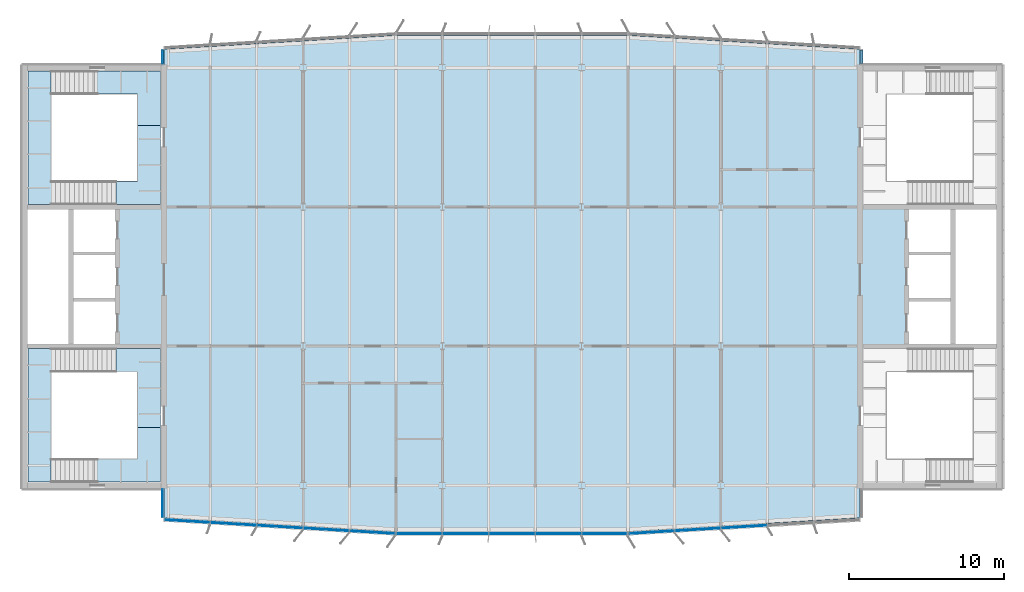
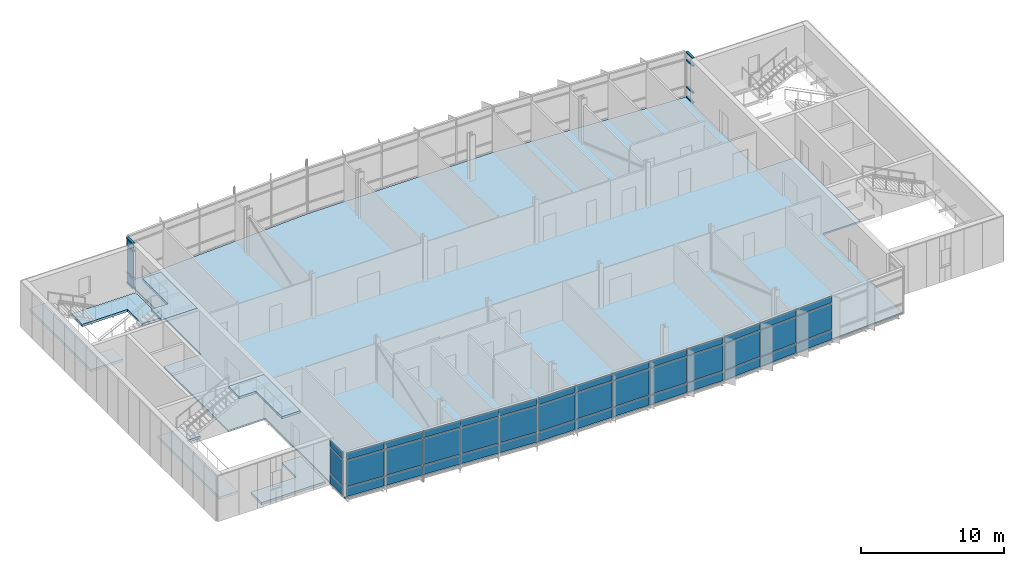
# One storey, part 10 of 18: 45 plates, 8 members, 7 slabs, 8 elements without a shape of their own.
"""IFC4 building model written with IfcOpenShell, lengths in metres."""

from ifc_helpers import new_model, si_unit, direction, frame, origin, origin_2d, place, context, subcontext, project, spatial, polyline, rectangle, outline, extrude, material, layer, layer_set, material_profile, profile_set, type_object, element, aggregate, save


model = new_model("IFC4")

# Units and contexts
model_context = context("Model", 3, precision=1e-05, world=origin(), true_north=direction((0.0, 1.0)))
body_context = subcontext(model_context, "Body", "Model", "MODEL_VIEW")
ifc_project = project(units=[si_unit("LENGTHUNIT", "METRE"), si_unit("AREAUNIT", "SQUARE_METRE"), si_unit("VOLUMEUNIT", "CUBIC_METRE"), si_unit("PLANEANGLEUNIT", "RADIAN"), si_unit("MASSUNIT", "GRAM", prefix="KILO")], contexts=[model_context])

# Site, building, storey
site_placement = place(None, origin())
site = spatial("IfcSite", under=ifc_project, at=site_placement, CompositionType="ELEMENT")
building_placement = place(site_placement, origin())
building = spatial("IfcBuilding", under=site, at=building_placement, Name="Azimuth Sports and Learning Centre", CompositionType="ELEMENT")
storey_placement = place(building_placement, frame((0.0, 0.0, 55.800048828125)))
storey = spatial("IfcBuildingStorey", under=building, at=storey_placement, Name="L12", CompositionType="ELEMENT", Elevation=55.800048828125)

# Curtain wall, members
ifc_material_1 = material(Name="Aluminium and glass", Category="aluminium")
curtain_wall_type_1 = type_object("IfcCurtainWallType", Name="Curtain wall tower return 180", PredefinedType="NOTDEFINED", material=ifc_material_1)
curtain_wall_1_placement = place(storey_placement, origin())
curtain_wall_1 = element("IfcCurtainWall", 1, at=curtain_wall_1_placement, inside=storey, type_object=curtain_wall_type_1, Name="Curtain wall CW12-006", PredefinedType="NOTDEFINED")
ifc_material_2 = material(Name="Aluminium", Category="aluminium")
ifc_material_profile = material_profile(ifc_material_2, rectangle(XDim=0.179931640625, YDim=0.10009765625, at=origin_2d()), Name="Transom 100x180")
ifc_profile_set = profile_set([ifc_material_profile], Name="Aluminium")
member_type = type_object("IfcMemberType", Name="Transom 100x180", PredefinedType="USERDEFINED", material=ifc_profile_set)
member_1_placement = place(storey_placement, frame((108.090087890625, 117.260009765625, 0.050048828125), z_axis=(0.0, 1.0, 0.0), x_axis=(-1.0, 0.0, 0.0)))
member_1 = element("IfcMember", 2, at=member_1_placement, type_object=member_type, Name="CW12-006 transom 1.1", ObjectType="TRANSOM", PredefinedType="USERDEFINED", context=body_context, shape_type="SweptSolid", body=[
    extrude(rectangle(XDim=0.179931640625, YDim=0.10009765625, at=origin_2d()), origin(), (0.0, 0.0, 1.0), 0.8798828125),
])
member_2_placement = place(storey_placement, frame((108.090087890625, 117.260009765625, 0.89990234375), z_axis=(0.0, 1.0, 0.0), x_axis=(-1.0, 0.0, 0.0)))
member_2 = element("IfcMember", 3, at=member_2_placement, type_object=member_type, Name="CW12-006 transom 1.2", ObjectType="TRANSOM", PredefinedType="USERDEFINED", context=body_context, shape_type="SweptSolid", body=[
    extrude(rectangle(XDim=0.179931640625, YDim=0.10009765625, at=origin_2d()), origin(), (0.0, 0.0, 1.0), 0.8798828125),
])
member_3_placement = place(storey_placement, frame((108.090087890625, 117.260009765625, 3.199951171875), z_axis=(0.0, 1.0, 0.0), x_axis=(-1.0, 0.0, 0.0)))
member_3 = element("IfcMember", 4, at=member_3_placement, type_object=member_type, Name="CW12-006 transom 1.3", ObjectType="TRANSOM", PredefinedType="USERDEFINED", context=body_context, shape_type="SweptSolid", body=[
    extrude(rectangle(XDim=0.179931640625, YDim=0.10009765625, at=origin_2d()), origin(), (0.0, 0.0, 1.0), 0.8798828125),
])
member_4_placement = place(storey_placement, frame((108.090087890625, 117.260009765625, 3.849853515625), z_axis=(0.0, 1.0, 0.0), x_axis=(-1.0, 0.0, 0.0)))
member_4 = element("IfcMember", 5, at=member_4_placement, type_object=member_type, Name="CW12-006 transom 1.4", ObjectType="TRANSOM", PredefinedType="USERDEFINED", context=body_context, shape_type="SweptSolid", body=[
    extrude(rectangle(XDim=0.179931640625, YDim=0.10009765625, at=origin_2d()), origin(), (0.0, 0.0, 1.0), 0.8798828125),
])
aggregate(curtain_wall_1, [member_1, member_2, member_3, member_4])

curtain_wall_2_placement = place(storey_placement, origin())
curtain_wall_2 = element("IfcCurtainWall", 6, at=curtain_wall_2_placement, inside=storey, type_object=curtain_wall_type_1, Name="Curtain wall CW12-010", PredefinedType="NOTDEFINED")
member_5_placement = place(storey_placement, frame((62.909912109375, 118.139892578125, 0.050048828125), z_axis=(0.0, -1.0, 0.0), x_axis=(1.0, 0.0, 0.0)))
member_5 = element("IfcMember", 7, at=member_5_placement, type_object=member_type, Name="CW12-010 transom 1.1", ObjectType="TRANSOM", PredefinedType="USERDEFINED", context=body_context, shape_type="SweptSolid", body=[
    extrude(rectangle(XDim=0.179931640625, YDim=0.10009765625, at=origin_2d()), origin(), (0.0, 0.0, 1.0), 0.8798828125),
])
member_6_placement = place(storey_placement, frame((62.909912109375, 118.139892578125, 0.89990234375), z_axis=(0.0, -1.0, 0.0), x_axis=(1.0, 0.0, 0.0)))
member_6 = element("IfcMember", 8, at=member_6_placement, type_object=member_type, Name="CW12-010 transom 1.2", ObjectType="TRANSOM", PredefinedType="USERDEFINED", context=body_context, shape_type="SweptSolid", body=[
    extrude(rectangle(XDim=0.179931640625, YDim=0.10009765625, at=origin_2d()), origin(), (0.0, 0.0, 1.0), 0.8798828125),
])
member_7_placement = place(storey_placement, frame((62.909912109375, 118.139892578125, 3.199951171875), z_axis=(0.0, -1.0, 0.0), x_axis=(1.0, 0.0, 0.0)))
member_7 = element("IfcMember", 9, at=member_7_placement, type_object=member_type, Name="CW12-010 transom 1.3", ObjectType="TRANSOM", PredefinedType="USERDEFINED", context=body_context, shape_type="SweptSolid", body=[
    extrude(rectangle(XDim=0.179931640625, YDim=0.10009765625, at=origin_2d()), origin(), (0.0, 0.0, 1.0), 0.8798828125),
])
member_8_placement = place(storey_placement, frame((62.909912109375, 118.139892578125, 3.849853515625), z_axis=(0.0, -1.0, 0.0), x_axis=(1.0, 0.0, 0.0)))
member_8 = element("IfcMember", 10, at=member_8_placement, type_object=member_type, Name="CW12-010 transom 1.4", ObjectType="TRANSOM", PredefinedType="USERDEFINED", context=body_context, shape_type="SweptSolid", body=[
    extrude(rectangle(XDim=0.179931640625, YDim=0.10009765625, at=origin_2d()), origin(), (0.0, 0.0, 1.0), 0.8798828125),
])

# Slab
ifc_material_3 = material(Name="Concrete C30/37", Category="concrete")
ifc_layer_1 = layer(ifc_material_3, 0.1298828125)
ifc_layer_set_1 = layer_set([ifc_layer_1], Name="Concrete C30/37")
slab_type_1 = type_object("IfcSlabType", Name="Composite floor slab 130", PredefinedType="FLOOR", material=ifc_layer_set_1)
slab_1_placement = place(storey_placement, frame((0.0, 0.0, -0.130126953125)))
element("IfcSlab", 11, at=slab_1_placement, inside=storey, type_object=slab_type_1, Name="Slab TOWER L12", PredefinedType="FLOOR", context=body_context, shape_type="SweptSolid", body=[
    extrude(outline(polyline([(78.0, 87.0), (93.0, 87.0), (108.0, 87.89990234375), (108.0, 99.0), (111.0, 99.0), (111.0, 108.0), (108.0, 108.0), (108.0, 118.199951171875), (93.0, 119.10009765625), (78.0, 119.10009765625), (63.0, 118.199951171875), (63.0, 108.0), (60.0, 108.0), (60.0, 99.0), (63.0, 99.0), (63.0, 87.89990234375), (78.0, 87.0)])), origin(), (0.0, 0.0, 1.0), 0.130126953125),
])

# Stair, slabs
ifc_material_4 = material(Name="Concrete C32/40", Category="concrete")
stair_type = type_object("IfcStairType", Name="Square-well stair core 3900 storey", PredefinedType="THREE_QUARTER_TURN_STAIR", material=ifc_material_4)
stair_1_placement = place(storey_placement, origin())
stair_1 = element("IfcStair", 12, at=stair_1_placement, inside=storey, type_object=stair_type, Name="Stair W1 L12-L13", PredefinedType="THREE_QUARTER_TURN_STAIR")
ifc_material_5 = material(Name="Concrete C32/40", Category="concrete")
ifc_layer_2 = layer(ifc_material_5, 0.199951171875)
ifc_layer_set_2 = layer_set([ifc_layer_2], Name="Concrete C32/40")
slab_type_2 = type_object("IfcSlabType", Name="Concrete stair landing", PredefinedType="LANDING", material=ifc_layer_set_2)
slab_2_placement = place(storey_placement, frame((0.0, 0.0, -0.199951171875)))
slab_2 = element("IfcSlab", 13, at=slab_2_placement, type_object=slab_type_2, Name="Stair W1 L12 landing 1", PredefinedType="LANDING", context=body_context, shape_type="SweptSolid", body=[
    extrude(outline(polyline([(62.7900390625, 90.2099609375), (62.7900390625, 93.75), (61.2900390625, 93.75), (61.2900390625, 91.7099609375), (57.610107421875, 91.7099609375), (57.610107421875, 90.2099609375), (62.7900390625, 90.2099609375)])), origin(), (0.0, 0.0, 1.0), 0.199951171875),
])
slab_3_placement = place(storey_placement, frame((0.0, 0.0, 1.449951171875)))
slab_3 = element("IfcSlab", 14, at=slab_3_placement, type_object=slab_type_2, Name="Stair W1 L12 landing 2", PredefinedType="LANDING", context=body_context, shape_type="SweptSolid", body=[
    extrude(outline(polyline([(55.7099609375, 91.7099609375), (55.7099609375, 97.340087890625), (56.81005859375, 97.340087890625), (56.81005859375, 98.840087890625), (54.2099609375, 98.840087890625), (54.2099609375, 90.2099609375), (55.710693359375, 90.2099609375), (55.710693359375, 91.7099609375), (55.7099609375, 91.7099609375)])), origin(), (0.0, 0.0, 1.0), 0.199951171875),
])
slab_4_placement = place(storey_placement, frame((0.0, 0.0, 3.699951171875)))
slab_4 = element("IfcSlab", 15, at=slab_4_placement, type_object=slab_type_2, Name="Stair W1 L12 landing 3", PredefinedType="LANDING", context=body_context, shape_type="SweptSolid", body=[
    extrude(outline(polyline([(61.2900390625, 97.340087890625), (61.2900390625, 93.75), (62.7900390625, 93.75), (62.7900390625, 98.840087890625), (59.9091796875, 98.840087890625), (59.9091796875, 97.340087890625), (61.2900390625, 97.340087890625)])), origin(), (0.0, 0.0, 1.0), 0.199951171875),
])
aggregate(stair_1, [slab_2, slab_3, slab_4])

stair_2_placement = place(storey_placement, origin())
stair_2 = element("IfcStair", 16, at=stair_2_placement, inside=storey, type_object=stair_type, Name="Stair W2 L12-L13", PredefinedType="THREE_QUARTER_TURN_STAIR")
slab_5_placement = place(storey_placement, frame((0.0, 0.0, -0.199951171875)))
slab_5 = element("IfcSlab", 17, at=slab_5_placement, type_object=slab_type_2, Name="Stair W2 L12 landing 1", PredefinedType="LANDING", context=body_context, shape_type="SweptSolid", body=[
    extrude(outline(polyline([(57.610107421875, 115.2900390625), (61.2900390625, 115.2900390625), (61.2900390625, 113.25), (62.7900390625, 113.25), (62.7900390625, 116.7900390625), (57.610107421875, 116.7900390625), (57.610107421875, 115.2900390625)])), origin(), (0.0, 0.0, 1.0), 0.199951171875),
])
slab_6_placement = place(storey_placement, frame((0.0, 0.0, 1.449951171875)))
slab_6 = element("IfcSlab", 18, at=slab_6_placement, type_object=slab_type_2, Name="Stair W2 L12 landing 2", PredefinedType="LANDING", context=body_context, shape_type="SweptSolid", body=[
    extrude(outline(polyline([(55.7099609375, 115.2900390625), (55.710693359375, 115.2900390625), (55.710693359375, 116.7900390625), (54.2099609375, 116.7900390625), (54.2099609375, 108.159912109375), (56.81005859375, 108.159912109375), (56.81005859375, 109.659912109375), (55.7099609375, 109.659912109375), (55.7099609375, 115.2900390625)])), origin(), (0.0, 0.0, 1.0), 0.199951171875),
])
slab_7_placement = place(storey_placement, frame((0.0, 0.0, 3.699951171875)))
slab_7 = element("IfcSlab", 19, at=slab_7_placement, type_object=slab_type_2, Name="Stair W2 L12 landing 3", PredefinedType="LANDING", context=body_context, shape_type="SweptSolid", body=[
    extrude(outline(polyline([(61.2900390625, 109.659912109375), (59.9091796875, 109.659912109375), (59.9091796875, 108.159912109375), (62.7900390625, 108.159912109375), (62.7900390625, 113.25), (61.2900390625, 113.25), (61.2900390625, 109.659912109375)])), origin(), (0.0, 0.0, 1.0), 0.199951171875),
])
aggregate(stair_2, [slab_5, slab_6, slab_7])

# Curtain wall, plates
curtain_wall_3_placement = place(storey_placement, origin())
curtain_wall_3 = element("IfcCurtainWall", 20, at=curtain_wall_3_placement, inside=storey, type_object=curtain_wall_type_1, Name="Curtain wall CW12-001", PredefinedType="NOTDEFINED")
ifc_material_6 = material(Name="Insulated aluminium panel", Category="aluminium")
ifc_layer_3 = layer(ifc_material_6, 0.050048828125)
ifc_layer_set_3 = layer_set([ifc_layer_3], Name="Insulated aluminium panel")
plate_type_1 = type_object("IfcPlateType", Name="Spandrel panel 50 mm", PredefinedType="CURTAIN_PANEL", material=ifc_layer_set_3)
plate_1_placement = place(storey_placement, frame((62.909912109375, 88.85009765625, 0.099853515625), z_axis=(0.0, 0.0, 1.0), x_axis=(0.0, -1.0, 0.0)))
plate_1 = element("IfcPlate", 21, at=plate_1_placement, type_object=plate_type_1, Name="CW12-001 panel 1.1", PredefinedType="CURTAIN_PANEL", context=body_context, shape_type="SweptSolid", body=[
    extrude(rectangle(XDim=1.780029296875, YDim=0.050048828125, at=origin_2d()), origin(), (0.0, 0.0, 1.0), 0.75),
])
plate_2_placement = place(storey_placement, frame((62.909912109375, 88.85009765625, 3.25), z_axis=(0.0, 0.0, 1.0), x_axis=(0.0, -1.0, 0.0)))
plate_2 = element("IfcPlate", 22, at=plate_2_placement, type_object=plate_type_1, Name="CW12-001 panel 1.3", PredefinedType="CURTAIN_PANEL", context=body_context, shape_type="SweptSolid", body=[
    extrude(rectangle(XDim=1.780029296875, YDim=0.050048828125, at=origin_2d()), origin(), (0.0, 0.0, 1.0), 0.550048828125),
])

ifc_material_7 = material(Name="Aluminium and glass", Category="aluminium")
curtain_wall_type_2 = type_object("IfcCurtainWallType", Name="Curtain wall tower south 240", PredefinedType="NOTDEFINED", material=ifc_material_7)
curtain_wall_4_placement = place(storey_placement, origin())
curtain_wall_4 = element("IfcCurtainWall", 23, at=curtain_wall_4_placement, inside=storey, type_object=curtain_wall_type_2, Name="Curtain wall CW12-002", PredefinedType="NOTDEFINED")
plate_3_placement = place(storey_placement, frame((64.51025390625, 87.689208984375, 0.099853515625), z_axis=(0.0, 0.0, 1.0), x_axis=(0.998204863401, -0.059891991812, 0.0)))
plate_3 = element("IfcPlate", 24, at=plate_3_placement, type_object=plate_type_1, Name="CW12-002 panel 1.1", PredefinedType="CURTAIN_PANEL", context=body_context, shape_type="SweptSolid", body=[
    extrude(rectangle(XDim=2.900390625, YDim=0.050048828125, at=origin_2d()), origin(), (0.0, 0.0, 1.0), 0.75),
])
plate_4_placement = place(storey_placement, frame((64.51025390625, 87.689208984375, 3.25), z_axis=(0.0, 0.0, 1.0), x_axis=(0.998204863401, -0.059891991812, 0.0)))
plate_4 = element("IfcPlate", 25, at=plate_4_placement, type_object=plate_type_1, Name="CW12-002 panel 1.3", PredefinedType="CURTAIN_PANEL", context=body_context, shape_type="SweptSolid", body=[
    extrude(rectangle(XDim=2.900390625, YDim=0.050048828125, at=origin_2d()), origin(), (0.0, 0.0, 1.0), 0.550048828125),
])
plate_5_placement = place(storey_placement, frame((67.492919921875, 87.51025390625, 0.099853515625), z_axis=(0.0, 0.0, 1.0), x_axis=(0.998204863401, -0.059891991812, 0.0)))
plate_5 = element("IfcPlate", 26, at=plate_5_placement, type_object=plate_type_1, Name="CW12-002 panel 2.1", PredefinedType="CURTAIN_PANEL", context=body_context, shape_type="SweptSolid", body=[
    extrude(rectangle(XDim=2.935302734375, YDim=0.050048828125, at=origin_2d()), origin(), (0.0, 0.0, 1.0), 0.75),
])
plate_6_placement = place(storey_placement, frame((67.492919921875, 87.51025390625, 3.25), z_axis=(0.0, 0.0, 1.0), x_axis=(0.998204863401, -0.059891991812, 0.0)))
plate_6 = element("IfcPlate", 27, at=plate_6_placement, type_object=plate_type_1, Name="CW12-002 panel 2.3", PredefinedType="CURTAIN_PANEL", context=body_context, shape_type="SweptSolid", body=[
    extrude(rectangle(XDim=2.935302734375, YDim=0.050048828125, at=origin_2d()), origin(), (0.0, 0.0, 1.0), 0.550048828125),
])
plate_7_placement = place(storey_placement, frame((70.492919921875, 87.330322265625, 0.099853515625), z_axis=(0.0, 0.0, 1.0), x_axis=(0.998204863401, -0.059891991812, 0.0)))
plate_7 = element("IfcPlate", 28, at=plate_7_placement, type_object=plate_type_1, Name="CW12-002 panel 3.1", PredefinedType="CURTAIN_PANEL", context=body_context, shape_type="SweptSolid", body=[
    extrude(rectangle(XDim=2.935302734375, YDim=0.050048828125, at=origin_2d()), origin(), (0.0, 0.0, 1.0), 0.75),
])
plate_8_placement = place(storey_placement, frame((70.492919921875, 87.330322265625, 3.25), z_axis=(0.0, 0.0, 1.0), x_axis=(0.998204863401, -0.059891991812, 0.0)))
plate_8 = element("IfcPlate", 29, at=plate_8_placement, type_object=plate_type_1, Name="CW12-002 panel 3.3", PredefinedType="CURTAIN_PANEL", context=body_context, shape_type="SweptSolid", body=[
    extrude(rectangle(XDim=2.935302734375, YDim=0.050048828125, at=origin_2d()), origin(), (0.0, 0.0, 1.0), 0.550048828125),
])
plate_9_placement = place(storey_placement, frame((73.492919921875, 87.150146484375, 0.099853515625), z_axis=(0.0, 0.0, 1.0), x_axis=(0.998204863401, -0.059891991812, 0.0)))
plate_9 = element("IfcPlate", 30, at=plate_9_placement, type_object=plate_type_1, Name="CW12-002 panel 4.1", PredefinedType="CURTAIN_PANEL", context=body_context, shape_type="SweptSolid", body=[
    extrude(rectangle(XDim=2.935302734375, YDim=0.050048828125, at=origin_2d()), origin(), (0.0, 0.0, 1.0), 0.75),
])
plate_10_placement = place(storey_placement, frame((73.492919921875, 87.150146484375, 3.25), z_axis=(0.0, 0.0, 1.0), x_axis=(0.998204863401, -0.059891991812, 0.0)))
plate_10 = element("IfcPlate", 31, at=plate_10_placement, type_object=plate_type_1, Name="CW12-002 panel 4.3", PredefinedType="CURTAIN_PANEL", context=body_context, shape_type="SweptSolid", body=[
    extrude(rectangle(XDim=2.935302734375, YDim=0.050048828125, at=origin_2d()), origin(), (0.0, 0.0, 1.0), 0.550048828125),
])
plate_11_placement = place(storey_placement, frame((76.475341796875, 86.97119140625, 0.099853515625), z_axis=(0.0, 0.0, 1.0), x_axis=(0.998204863401, -0.059891991812, 0.0)))
plate_11 = element("IfcPlate", 32, at=plate_11_placement, type_object=plate_type_1, Name="CW12-002 panel 5.1", PredefinedType="CURTAIN_PANEL", context=body_context, shape_type="SweptSolid", body=[
    extrude(rectangle(XDim=2.900390625, YDim=0.050048828125, at=origin_2d()), origin(), (0.0, 0.0, 1.0), 0.75),
])
plate_12_placement = place(storey_placement, frame((76.475341796875, 86.97119140625, 3.25), z_axis=(0.0, 0.0, 1.0), x_axis=(0.998204863401, -0.059891991812, 0.0)))
plate_12 = element("IfcPlate", 33, at=plate_12_placement, type_object=plate_type_1, Name="CW12-002 panel 5.3", PredefinedType="CURTAIN_PANEL", context=body_context, shape_type="SweptSolid", body=[
    extrude(rectangle(XDim=2.900390625, YDim=0.050048828125, at=origin_2d()), origin(), (0.0, 0.0, 1.0), 0.550048828125),
])

curtain_wall_5_placement = place(storey_placement, origin())
curtain_wall_5 = element("IfcCurtainWall", 34, at=curtain_wall_5_placement, inside=storey, type_object=curtain_wall_type_2, Name="Curtain wall CW12-003", PredefinedType="NOTDEFINED")
plate_13_placement = place(storey_placement, frame((79.513916015625, 86.8798828125, 0.099853515625), z_axis=(0.0, 0.0, 1.0), x_axis=(1.0, 0.0, 0.0)))
plate_13 = element("IfcPlate", 35, at=plate_13_placement, type_object=plate_type_1, Name="CW12-003 panel 1.1", PredefinedType="CURTAIN_PANEL", context=body_context, shape_type="SweptSolid", body=[
    extrude(rectangle(XDim=2.902099609375, YDim=0.050048828125, at=origin_2d()), origin(), (0.0, 0.0, 1.0), 0.75),
])
plate_14_placement = place(storey_placement, frame((79.513916015625, 86.8798828125, 3.25), z_axis=(0.0, 0.0, 1.0), x_axis=(1.0, 0.0, 0.0)))
plate_14 = element("IfcPlate", 36, at=plate_14_placement, type_object=plate_type_1, Name="CW12-003 panel 1.3", PredefinedType="CURTAIN_PANEL", context=body_context, shape_type="SweptSolid", body=[
    extrude(rectangle(XDim=2.902099609375, YDim=0.050048828125, at=origin_2d()), origin(), (0.0, 0.0, 1.0), 0.550048828125),
])
plate_15_placement = place(storey_placement, frame((82.5, 86.8798828125, 0.099853515625), z_axis=(0.0, 0.0, 1.0), x_axis=(1.0, 0.0, 0.0)))
plate_15 = element("IfcPlate", 37, at=plate_15_placement, type_object=plate_type_1, Name="CW12-003 panel 2.1", PredefinedType="CURTAIN_PANEL", context=body_context, shape_type="SweptSolid", body=[
    extrude(rectangle(XDim=2.929931640625, YDim=0.050048828125, at=origin_2d()), origin(), (0.0, 0.0, 1.0), 0.75),
])
plate_16_placement = place(storey_placement, frame((82.5, 86.8798828125, 3.25), z_axis=(0.0, 0.0, 1.0), x_axis=(1.0, 0.0, 0.0)))
plate_16 = element("IfcPlate", 38, at=plate_16_placement, type_object=plate_type_1, Name="CW12-003 panel 2.3", PredefinedType="CURTAIN_PANEL", context=body_context, shape_type="SweptSolid", body=[
    extrude(rectangle(XDim=2.929931640625, YDim=0.050048828125, at=origin_2d()), origin(), (0.0, 0.0, 1.0), 0.550048828125),
])
plate_17_placement = place(storey_placement, frame((85.5, 86.8798828125, 0.099853515625), z_axis=(0.0, 0.0, 1.0), x_axis=(1.0, 0.0, 0.0)))
plate_17 = element("IfcPlate", 39, at=plate_17_placement, type_object=plate_type_1, Name="CW12-003 panel 3.1", PredefinedType="CURTAIN_PANEL", context=body_context, shape_type="SweptSolid", body=[
    extrude(rectangle(XDim=2.929931640625, YDim=0.050048828125, at=origin_2d()), origin(), (0.0, 0.0, 1.0), 0.75),
])
plate_18_placement = place(storey_placement, frame((85.5, 86.8798828125, 3.25), z_axis=(0.0, 0.0, 1.0), x_axis=(1.0, 0.0, 0.0)))
plate_18 = element("IfcPlate", 40, at=plate_18_placement, type_object=plate_type_1, Name="CW12-003 panel 3.3", PredefinedType="CURTAIN_PANEL", context=body_context, shape_type="SweptSolid", body=[
    extrude(rectangle(XDim=2.929931640625, YDim=0.050048828125, at=origin_2d()), origin(), (0.0, 0.0, 1.0), 0.550048828125),
])
plate_19_placement = place(storey_placement, frame((88.5, 86.8798828125, 0.099853515625), z_axis=(0.0, 0.0, 1.0), x_axis=(1.0, 0.0, 0.0)))
plate_19 = element("IfcPlate", 41, at=plate_19_placement, type_object=plate_type_1, Name="CW12-003 panel 4.1", PredefinedType="CURTAIN_PANEL", context=body_context, shape_type="SweptSolid", body=[
    extrude(rectangle(XDim=2.929931640625, YDim=0.050048828125, at=origin_2d()), origin(), (0.0, 0.0, 1.0), 0.75),
])
plate_20_placement = place(storey_placement, frame((88.5, 86.8798828125, 3.25), z_axis=(0.0, 0.0, 1.0), x_axis=(1.0, 0.0, 0.0)))
plate_20 = element("IfcPlate", 42, at=plate_20_placement, type_object=plate_type_1, Name="CW12-003 panel 4.3", PredefinedType="CURTAIN_PANEL", context=body_context, shape_type="SweptSolid", body=[
    extrude(rectangle(XDim=2.929931640625, YDim=0.050048828125, at=origin_2d()), origin(), (0.0, 0.0, 1.0), 0.550048828125),
])
plate_21_placement = place(storey_placement, frame((91.482421875, 86.8798828125, 0.099853515625), z_axis=(0.0, 0.0, 1.0), x_axis=(1.0, 0.0, 0.0)))
plate_21 = element("IfcPlate", 43, at=plate_21_placement, type_object=plate_type_1, Name="CW12-003 panel 5.1", PredefinedType="CURTAIN_PANEL", context=body_context, shape_type="SweptSolid", body=[
    extrude(rectangle(XDim=2.89501953125, YDim=0.050048828125, at=origin_2d()), origin(), (0.0, 0.0, 1.0), 0.75),
])
plate_22_placement = place(storey_placement, frame((91.482421875, 86.8798828125, 3.25), z_axis=(0.0, 0.0, 1.0), x_axis=(1.0, 0.0, 0.0)))
plate_22 = element("IfcPlate", 44, at=plate_22_placement, type_object=plate_type_1, Name="CW12-003 panel 5.3", PredefinedType="CURTAIN_PANEL", context=body_context, shape_type="SweptSolid", body=[
    extrude(rectangle(XDim=2.89501953125, YDim=0.050048828125, at=origin_2d()), origin(), (0.0, 0.0, 1.0), 0.550048828125),
])

curtain_wall_6_placement = place(storey_placement, origin())
curtain_wall_6 = element("IfcCurtainWall", 45, at=curtain_wall_6_placement, inside=storey, type_object=curtain_wall_type_2, Name="Curtain wall CW12-004", PredefinedType="NOTDEFINED")
plate_23_placement = place(storey_placement, frame((94.52099609375, 86.970947265625, 0.099853515625), z_axis=(0.0, 0.0, 1.0), x_axis=(0.998204863401, 0.059891991812, 0.0)))
plate_23 = element("IfcPlate", 46, at=plate_23_placement, type_object=plate_type_1, Name="CW12-004 panel 1.1", PredefinedType="CURTAIN_PANEL", context=body_context, shape_type="SweptSolid", body=[
    extrude(rectangle(XDim=2.90771484375, YDim=0.050048828125, at=origin_2d()), origin(), (0.0, 0.0, 1.0), 0.75),
])
plate_24_placement = place(storey_placement, frame((94.52099609375, 86.970947265625, 3.25), z_axis=(0.0, 0.0, 1.0), x_axis=(0.998204863401, 0.059891991812, 0.0)))
plate_24 = element("IfcPlate", 47, at=plate_24_placement, type_object=plate_type_1, Name="CW12-004 panel 1.3", PredefinedType="CURTAIN_PANEL", context=body_context, shape_type="SweptSolid", body=[
    extrude(rectangle(XDim=2.90771484375, YDim=0.050048828125, at=origin_2d()), origin(), (0.0, 0.0, 1.0), 0.550048828125),
])
plate_25_placement = place(storey_placement, frame((97.507080078125, 87.150146484375, 0.099853515625), z_axis=(0.0, 0.0, 1.0), x_axis=(0.998204863401, 0.059891991812, 0.0)))
plate_25 = element("IfcPlate", 48, at=plate_25_placement, type_object=plate_type_1, Name="CW12-004 panel 2.1", PredefinedType="CURTAIN_PANEL", context=body_context, shape_type="SweptSolid", body=[
    extrude(rectangle(XDim=2.935302734375, YDim=0.050048828125, at=origin_2d()), origin(), (0.0, 0.0, 1.0), 0.75),
])
plate_26_placement = place(storey_placement, frame((97.507080078125, 87.150146484375, 3.25), z_axis=(0.0, 0.0, 1.0), x_axis=(0.998204863401, 0.059891991812, 0.0)))
plate_26 = element("IfcPlate", 49, at=plate_26_placement, type_object=plate_type_1, Name="CW12-004 panel 2.3", PredefinedType="CURTAIN_PANEL", context=body_context, shape_type="SweptSolid", body=[
    extrude(rectangle(XDim=2.935302734375, YDim=0.050048828125, at=origin_2d()), origin(), (0.0, 0.0, 1.0), 0.550048828125),
])
plate_27_placement = place(storey_placement, frame((100.507080078125, 87.330322265625, 0.099853515625), z_axis=(0.0, 0.0, 1.0), x_axis=(0.998204863401, 0.059891991812, 0.0)))
plate_27 = element("IfcPlate", 50, at=plate_27_placement, type_object=plate_type_1, Name="CW12-004 panel 3.1", PredefinedType="CURTAIN_PANEL", context=body_context, shape_type="SweptSolid", body=[
    extrude(rectangle(XDim=2.935302734375, YDim=0.050048828125, at=origin_2d()), origin(), (0.0, 0.0, 1.0), 0.75),
])
plate_28_placement = place(storey_placement, frame((100.507080078125, 87.330322265625, 3.25), z_axis=(0.0, 0.0, 1.0), x_axis=(0.998204863401, 0.059891991812, 0.0)))
plate_28 = element("IfcPlate", 51, at=plate_28_placement, type_object=plate_type_1, Name="CW12-004 panel 3.3", PredefinedType="CURTAIN_PANEL", context=body_context, shape_type="SweptSolid", body=[
    extrude(rectangle(XDim=2.935302734375, YDim=0.050048828125, at=origin_2d()), origin(), (0.0, 0.0, 1.0), 0.550048828125),
])

# Plate
plate_29_placement = place(storey_placement, frame((62.909912109375, 117.699951171875, 0.099853515625), z_axis=(0.0, 0.0, 1.0), x_axis=(0.0, -1.0, 0.0)))
plate_29 = element("IfcPlate", 52, at=plate_29_placement, type_object=plate_type_1, Name="CW12-010 panel 1.1", PredefinedType="CURTAIN_PANEL", context=body_context, shape_type="SweptSolid", body=[
    extrude(rectangle(XDim=0.8798828125, YDim=0.050048828125, at=origin_2d()), origin(), (0.0, 0.0, 1.0), 0.75),
])

plate_30_placement = place(storey_placement, frame((62.909912109375, 117.699951171875, 3.25), z_axis=(0.0, 0.0, 1.0), x_axis=(0.0, -1.0, 0.0)))
plate_30 = element("IfcPlate", 53, at=plate_30_placement, type_object=plate_type_1, Name="CW12-010 panel 1.3", PredefinedType="CURTAIN_PANEL", context=body_context, shape_type="SweptSolid", body=[
    extrude(rectangle(XDim=0.8798828125, YDim=0.050048828125, at=origin_2d()), origin(), (0.0, 0.0, 1.0), 0.550048828125),
])

ifc_material_8 = material(Name="Glass", Category="glass")
ifc_layer_4 = layer(ifc_material_8, 0.031982421875)
ifc_layer_set_4 = layer_set([ifc_layer_4], Name="Glass")
plate_type_2 = type_object("IfcPlateType", Name="Vision glass 32 mm", PredefinedType="CURTAIN_PANEL", material=ifc_layer_set_4)
plate_31_placement = place(storey_placement, frame((62.909912109375, 88.85009765625, 0.9501953125), z_axis=(0.0, 0.0, 1.0), x_axis=(0.0, -1.0, 0.0)))
plate_31 = element("IfcPlate", 54, at=plate_31_placement, type_object=plate_type_2, Name="CW12-001 panel 1.2", PredefinedType="CURTAIN_PANEL", context=body_context, shape_type="SweptSolid", body=[
    extrude(rectangle(XDim=1.780029296875, YDim=0.031982421875, at=origin_2d()), origin(), (0.0, 0.0, 1.0), 2.199951171875),
])

aggregate(curtain_wall_3, [plate_1, plate_31, plate_2])

plate_32_placement = place(storey_placement, frame((64.51025390625, 87.689208984375, 0.9501953125), z_axis=(0.0, 0.0, 1.0), x_axis=(0.998204863401, -0.059891991812, 0.0)))
plate_32 = element("IfcPlate", 55, at=plate_32_placement, type_object=plate_type_2, Name="CW12-002 panel 1.2", PredefinedType="CURTAIN_PANEL", context=body_context, shape_type="SweptSolid", body=[
    extrude(rectangle(XDim=2.900390625, YDim=0.031982421875, at=origin_2d()), origin(), (0.0, 0.0, 1.0), 2.199951171875),
])

plate_33_placement = place(storey_placement, frame((67.492919921875, 87.51025390625, 0.9501953125), z_axis=(0.0, 0.0, 1.0), x_axis=(0.998204863401, -0.059891991812, 0.0)))
plate_33 = element("IfcPlate", 56, at=plate_33_placement, type_object=plate_type_2, Name="CW12-002 panel 2.2", PredefinedType="CURTAIN_PANEL", context=body_context, shape_type="SweptSolid", body=[
    extrude(rectangle(XDim=2.935302734375, YDim=0.031982421875, at=origin_2d()), origin(), (0.0, 0.0, 1.0), 2.199951171875),
])

plate_34_placement = place(storey_placement, frame((70.492919921875, 87.330322265625, 0.9501953125), z_axis=(0.0, 0.0, 1.0), x_axis=(0.998204863401, -0.059891991812, 0.0)))
plate_34 = element("IfcPlate", 57, at=plate_34_placement, type_object=plate_type_2, Name="CW12-002 panel 3.2", PredefinedType="CURTAIN_PANEL", context=body_context, shape_type="SweptSolid", body=[
    extrude(rectangle(XDim=2.935302734375, YDim=0.031982421875, at=origin_2d()), origin(), (0.0, 0.0, 1.0), 2.199951171875),
])

plate_35_placement = place(storey_placement, frame((73.492919921875, 87.150146484375, 0.9501953125), z_axis=(0.0, 0.0, 1.0), x_axis=(0.998204863401, -0.059891991812, 0.0)))
plate_35 = element("IfcPlate", 58, at=plate_35_placement, type_object=plate_type_2, Name="CW12-002 panel 4.2", PredefinedType="CURTAIN_PANEL", context=body_context, shape_type="SweptSolid", body=[
    extrude(rectangle(XDim=2.935302734375, YDim=0.031982421875, at=origin_2d()), origin(), (0.0, 0.0, 1.0), 2.199951171875),
])

plate_36_placement = place(storey_placement, frame((76.475341796875, 86.97119140625, 0.9501953125), z_axis=(0.0, 0.0, 1.0), x_axis=(0.998204863401, -0.059891991812, 0.0)))
plate_36 = element("IfcPlate", 59, at=plate_36_placement, type_object=plate_type_2, Name="CW12-002 panel 5.2", PredefinedType="CURTAIN_PANEL", context=body_context, shape_type="SweptSolid", body=[
    extrude(rectangle(XDim=2.900390625, YDim=0.031982421875, at=origin_2d()), origin(), (0.0, 0.0, 1.0), 2.199951171875),
])

aggregate(curtain_wall_4, [plate_3, plate_32, plate_4, plate_5, plate_33, plate_6, plate_7, plate_34, plate_8, plate_9, plate_35, plate_10, plate_11, plate_36, plate_12])

plate_37_placement = place(storey_placement, frame((79.513916015625, 86.8798828125, 0.9501953125), z_axis=(0.0, 0.0, 1.0), x_axis=(1.0, 0.0, 0.0)))
plate_37 = element("IfcPlate", 60, at=plate_37_placement, type_object=plate_type_2, Name="CW12-003 panel 1.2", PredefinedType="CURTAIN_PANEL", context=body_context, shape_type="SweptSolid", body=[
    extrude(rectangle(XDim=2.902099609375, YDim=0.031982421875, at=origin_2d()), origin(), (0.0, 0.0, 1.0), 2.199951171875),
])

plate_38_placement = place(storey_placement, frame((82.5, 86.8798828125, 0.9501953125), z_axis=(0.0, 0.0, 1.0), x_axis=(1.0, 0.0, 0.0)))
plate_38 = element("IfcPlate", 61, at=plate_38_placement, type_object=plate_type_2, Name="CW12-003 panel 2.2", PredefinedType="CURTAIN_PANEL", context=body_context, shape_type="SweptSolid", body=[
    extrude(rectangle(XDim=2.929931640625, YDim=0.031982421875, at=origin_2d()), origin(), (0.0, 0.0, 1.0), 2.199951171875),
])

plate_39_placement = place(storey_placement, frame((85.5, 86.8798828125, 0.9501953125), z_axis=(0.0, 0.0, 1.0), x_axis=(1.0, 0.0, 0.0)))
plate_39 = element("IfcPlate", 62, at=plate_39_placement, type_object=plate_type_2, Name="CW12-003 panel 3.2", PredefinedType="CURTAIN_PANEL", context=body_context, shape_type="SweptSolid", body=[
    extrude(rectangle(XDim=2.929931640625, YDim=0.031982421875, at=origin_2d()), origin(), (0.0, 0.0, 1.0), 2.199951171875),
])

plate_40_placement = place(storey_placement, frame((88.5, 86.8798828125, 0.9501953125), z_axis=(0.0, 0.0, 1.0), x_axis=(1.0, 0.0, 0.0)))
plate_40 = element("IfcPlate", 63, at=plate_40_placement, type_object=plate_type_2, Name="CW12-003 panel 4.2", PredefinedType="CURTAIN_PANEL", context=body_context, shape_type="SweptSolid", body=[
    extrude(rectangle(XDim=2.929931640625, YDim=0.031982421875, at=origin_2d()), origin(), (0.0, 0.0, 1.0), 2.199951171875),
])

plate_41_placement = place(storey_placement, frame((91.482421875, 86.8798828125, 0.9501953125), z_axis=(0.0, 0.0, 1.0), x_axis=(1.0, 0.0, 0.0)))
plate_41 = element("IfcPlate", 64, at=plate_41_placement, type_object=plate_type_2, Name="CW12-003 panel 5.2", PredefinedType="CURTAIN_PANEL", context=body_context, shape_type="SweptSolid", body=[
    extrude(rectangle(XDim=2.89501953125, YDim=0.031982421875, at=origin_2d()), origin(), (0.0, 0.0, 1.0), 2.199951171875),
])

aggregate(curtain_wall_5, [plate_13, plate_37, plate_14, plate_15, plate_38, plate_16, plate_17, plate_39, plate_18, plate_19, plate_40, plate_20, plate_21, plate_41, plate_22])

plate_42_placement = place(storey_placement, frame((94.52099609375, 86.970947265625, 0.9501953125), z_axis=(0.0, 0.0, 1.0), x_axis=(0.998204863401, 0.059891991812, 0.0)))
plate_42 = element("IfcPlate", 65, at=plate_42_placement, type_object=plate_type_2, Name="CW12-004 panel 1.2", PredefinedType="CURTAIN_PANEL", context=body_context, shape_type="SweptSolid", body=[
    extrude(rectangle(XDim=2.90771484375, YDim=0.031982421875, at=origin_2d()), origin(), (0.0, 0.0, 1.0), 2.199951171875),
])

plate_43_placement = place(storey_placement, frame((97.507080078125, 87.150146484375, 0.9501953125), z_axis=(0.0, 0.0, 1.0), x_axis=(0.998204863401, 0.059891991812, 0.0)))
plate_43 = element("IfcPlate", 66, at=plate_43_placement, type_object=plate_type_2, Name="CW12-004 panel 2.2", PredefinedType="CURTAIN_PANEL", context=body_context, shape_type="SweptSolid", body=[
    extrude(rectangle(XDim=2.935302734375, YDim=0.031982421875, at=origin_2d()), origin(), (0.0, 0.0, 1.0), 2.199951171875),
])

plate_44_placement = place(storey_placement, frame((100.507080078125, 87.330322265625, 0.9501953125), z_axis=(0.0, 0.0, 1.0), x_axis=(0.998204863401, 0.059891991812, 0.0)))
plate_44 = element("IfcPlate", 67, at=plate_44_placement, type_object=plate_type_2, Name="CW12-004 panel 3.2", PredefinedType="CURTAIN_PANEL", context=body_context, shape_type="SweptSolid", body=[
    extrude(rectangle(XDim=2.935302734375, YDim=0.031982421875, at=origin_2d()), origin(), (0.0, 0.0, 1.0), 2.199951171875),
])

aggregate(curtain_wall_6, [plate_23, plate_42, plate_24, plate_25, plate_43, plate_26, plate_27, plate_44, plate_28])

plate_45_placement = place(storey_placement, frame((62.909912109375, 117.699951171875, 0.9501953125), z_axis=(0.0, 0.0, 1.0), x_axis=(0.0, -1.0, 0.0)))
plate_45 = element("IfcPlate", 68, at=plate_45_placement, type_object=plate_type_2, Name="CW12-010 panel 1.2", PredefinedType="CURTAIN_PANEL", context=body_context, shape_type="SweptSolid", body=[
    extrude(rectangle(XDim=0.8798828125, YDim=0.031982421875, at=origin_2d()), origin(), (0.0, 0.0, 1.0), 2.199951171875),
])

aggregate(curtain_wall_2, [member_5, member_6, member_7, member_8, plate_29, plate_45, plate_30])

save(model, "model.ifc")
